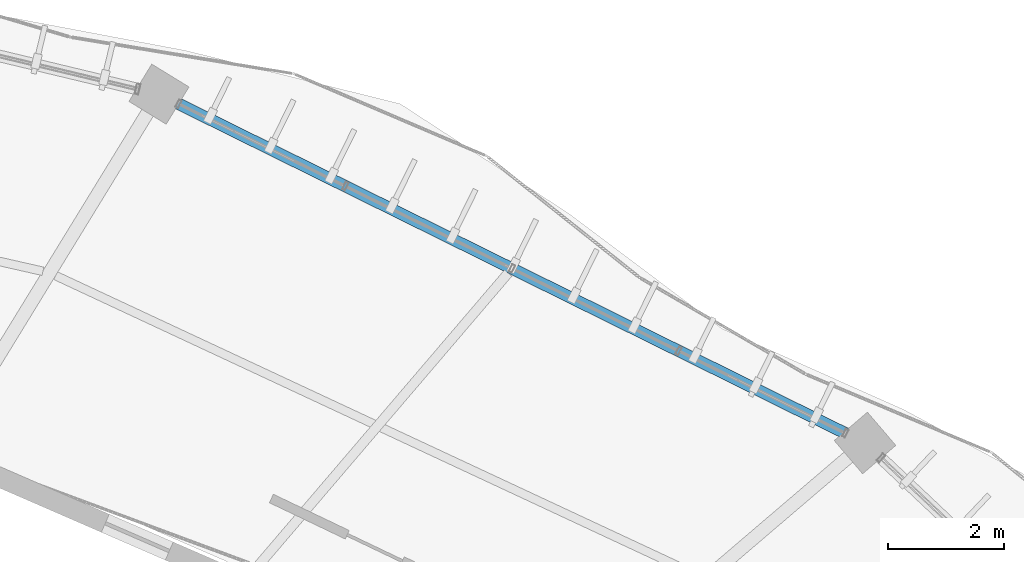
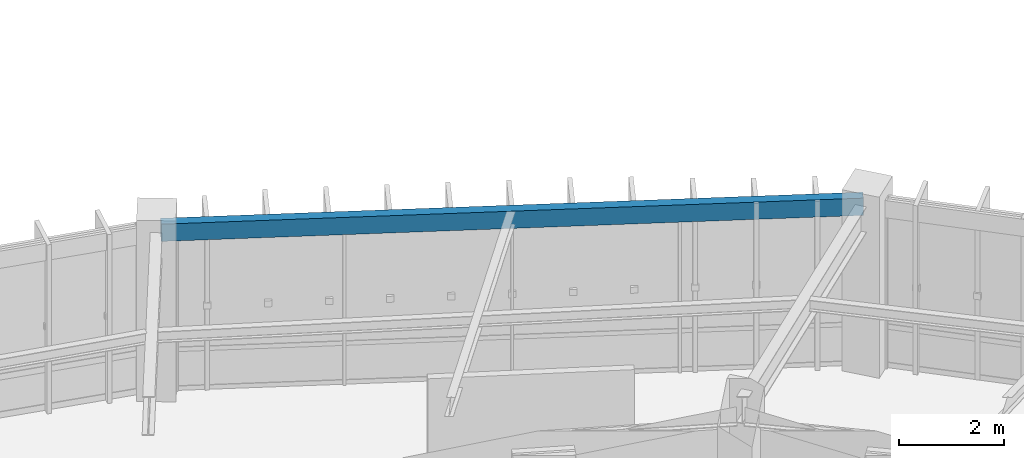
# One storey, part 83 of 152: 1 beam.
"""IFC4 building model written with IfcOpenShell, lengths in metres."""

from ifc_helpers import new_model, si_unit, direction, frame, origin, origin_2d, place, context, subcontext, project, spatial, hollow_rectangle, extrude, material, material_profile, profile_set, type_object, element, save


model = new_model("IFC4")

# Units and contexts
model_context = context("Model", 3, precision=1e-05, world=origin(), true_north=direction((0.0, 1.0)))
body_context = subcontext(model_context, "Body", "Model", "MODEL_VIEW")
ifc_project = project(units=[si_unit("LENGTHUNIT", "METRE"), si_unit("AREAUNIT", "SQUARE_METRE"), si_unit("VOLUMEUNIT", "CUBIC_METRE"), si_unit("PLANEANGLEUNIT", "RADIAN"), si_unit("MASSUNIT", "GRAM", prefix="KILO"), si_unit("THERMODYNAMICTEMPERATUREUNIT", "KELVIN"), si_unit("POWERUNIT", "WATT")], contexts=[model_context])

# Site, building, storey
site_placement = place(None, origin())
site = spatial("IfcSite", under=ifc_project, at=site_placement, CompositionType="ELEMENT")
building_placement = place(site_placement, origin())
building = spatial("IfcBuilding", under=site, at=building_placement, Name="Darbajah Civic Hall", CompositionType="ELEMENT")
storey_placement = place(building_placement, frame((0.0, 0.0, 5.39990234375)))
storey = spatial("IfcBuildingStorey", under=building, at=storey_placement, Name="L01", CompositionType="ELEMENT", Elevation=5.39990234375)

# Beam
ifc_material = material(Name="Steel S355JR", Category="steel")
ifc_material_profile = material_profile(ifc_material, hollow_rectangle(XDim=0.199951171875, YDim=0.39990234375, WallThickness=0.013916015625, at=origin_2d()), Name="RHS 400x200x14")
ifc_profile_set = profile_set([ifc_material_profile], Name="Steel S355JR")
beam_type = type_object("IfcBeamType", Name="RHS 400x200x14", PredefinedType="SPANDREL", material=ifc_profile_set)
beam_placement = place(storey_placement, frame((127.80908203125, 108.994140625, 3.72021484375), z_axis=(-0.896560149568, 0.442922000139, 0.0), x_axis=(-0.442922000139, -0.896560149568, 0.0)))
element("IfcBeam", 1, at=beam_placement, inside=storey, type_object=beam_type, Name="L01 beam SP-RHS400", PredefinedType="SPANDREL", context=body_context, shape_type="SweptSolid", body=[
    extrude(hollow_rectangle(XDim=0.199951171875, YDim=0.39990234375, WallThickness=0.013916015625, at=origin_2d()), origin(), (0.0, 0.0, 1.0), 13.373291015625),
])

save(model, "model.ifc")
